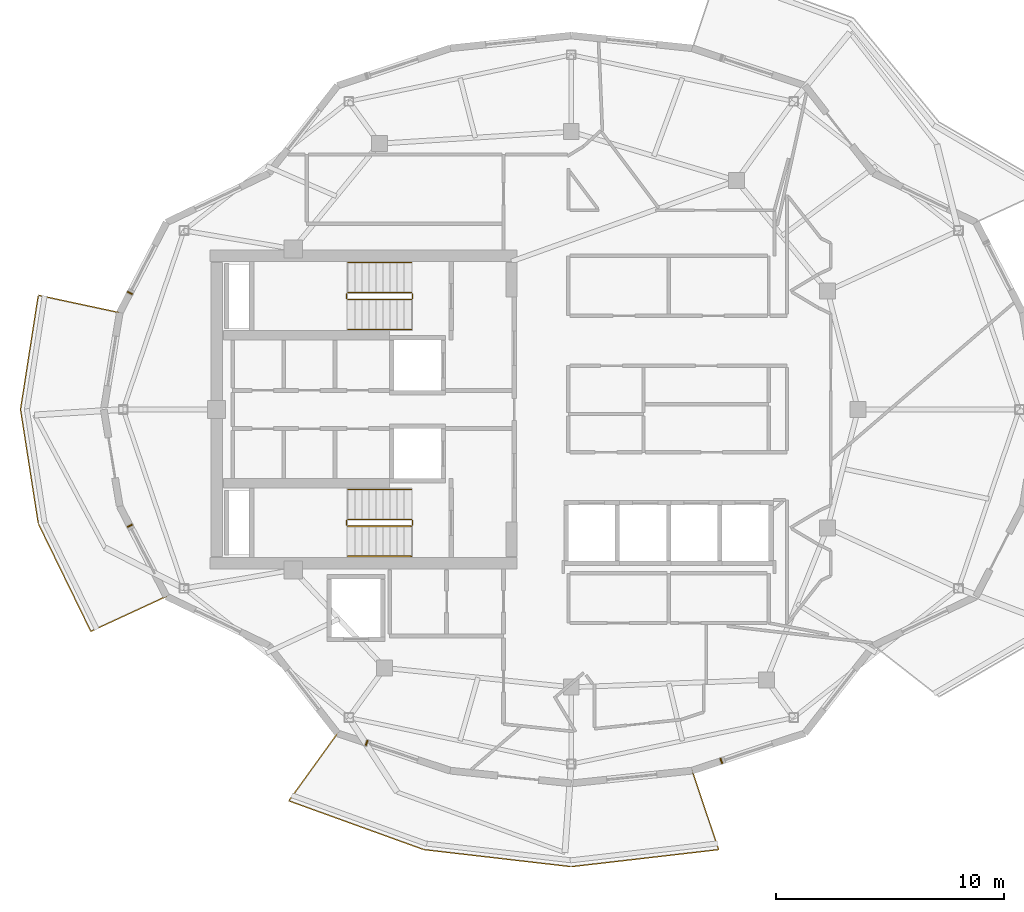
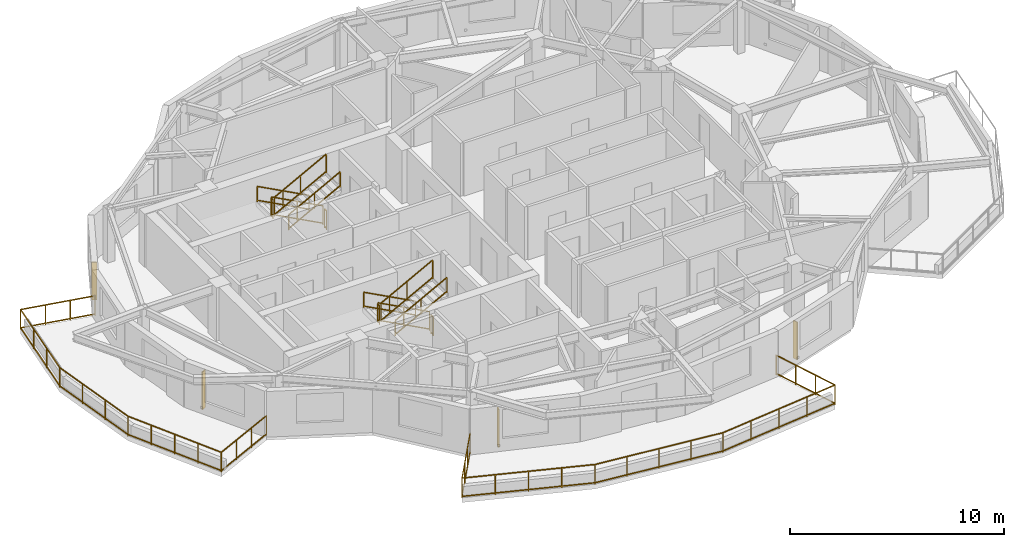
# One storey, part 9 of 11: 14 railings, 4 shading devices.
"""IFC4 building model written with IfcOpenShell, lengths in metres."""

from ifc_helpers import new_model, si_unit, direction, frame, origin, origin_2d, place, context, subcontext, project, spatial, rectangle, extrude, material, type_object, element, save


model = new_model("IFC4")

# Units and contexts
model_context = context("Model", 3, precision=1e-05, world=origin(), true_north=direction((0.0, 1.0)))
body_context = subcontext(model_context, "Body", "Model", "MODEL_VIEW")
ifc_project = project(units=[si_unit("LENGTHUNIT", "METRE"), si_unit("AREAUNIT", "SQUARE_METRE"), si_unit("VOLUMEUNIT", "CUBIC_METRE"), si_unit("PLANEANGLEUNIT", "RADIAN"), si_unit("MASSUNIT", "GRAM", prefix="KILO")], contexts=[model_context])

# Site, building, storey
site_placement = place(None, origin())
site = spatial("IfcSite", under=ifc_project, at=site_placement, CompositionType="ELEMENT")
building_placement = place(site_placement, origin())
building = spatial("IfcBuilding", under=site, at=building_placement, Name="Kolvaren Gate Tower and Convention Centre", CompositionType="ELEMENT")
storey_placement = place(building_placement, frame((0.0, 0.0, 262.39990234375)))
storey = spatial("IfcBuildingStorey", under=building, at=storey_placement, Name="L71", CompositionType="ELEMENT", Elevation=262.39990234375)

# Railings
ifc_material_1 = material(Name="Brushed Stainless Steel Grade 316L", Category="steel")
railing_type_1 = type_object("IfcRailingType", Name="ARCH-RL-GUARD-1150", PredefinedType="GUARDRAIL", material=ifc_material_1)
railing_1_placement = place(storey_placement, frame((23.10009765625, 32.1298828125, 0.1650390625)))
element("IfcRailing", 1, at=railing_1_placement, inside=storey, type_object=railing_type_1, Name="L71 ST-T1 stair guard 1", PredefinedType="GUARDRAIL", context=body_context, shape_type="SweptSolid", body=[
    extrude(rectangle(XDim=0.048095703125, YDim=0.048095703125, at=origin_2d()), frame((0.0, 0.0, 1.076171875), z_axis=(-0.882735390775, 0.0, 0.469870439454), x_axis=(0.0, -1.0, 0.0)), (0.0, 0.0, 1.0), 3.16064453125),
    extrude(rectangle(XDim=0.048095703125, YDim=0.048095703125, at=origin_2d()), frame((0.0, 0.0, 0.083984375), z_axis=(-0.882735390775, 0.0, 0.469870439454), x_axis=(0.0, -1.0, 0.0)), (0.0, 0.0, 1.0), 3.16064453125),
    extrude(rectangle(XDim=0.0419921875, YDim=0.0419921875, at=origin_2d()), origin(), (0.0, 0.0, 1.0), 1.050048828125),
    extrude(rectangle(XDim=0.0419921875, YDim=0.0419921875, at=origin_2d()), frame((-2.7900390625, 0.0, 1.485107421875)), (0.0, 0.0, 1.0), 1.050048828125),
    extrude(rectangle(XDim=0.0419921875, YDim=0.0419921875, at=origin_2d()), frame((-1.39501953125, 0.0, 0.74267578125)), (0.0, 0.0, 1.0), 1.050048828125),
])
railing_2_placement = place(storey_placement, frame((20.260009765625, 32.080078125, 1.650146484375)))
element("IfcRailing", 2, at=railing_2_placement, inside=storey, type_object=railing_type_1, Name="L71 ST-T1 stair guard 2", PredefinedType="GUARDRAIL", context=body_context, shape_type="SweptSolid", body=[
    extrude(rectangle(XDim=0.048095703125, YDim=0.048095703125, at=origin_2d()), frame((0.0, 0.0, 1.076171875), z_axis=(0.0, -1.0, 0.0), x_axis=(1.0, 0.0, 0.0)), (0.0, 0.0, 1.0), 0.2001953125),
    extrude(rectangle(XDim=0.048095703125, YDim=0.048095703125, at=origin_2d()), frame((0.0, 0.0, 0.083984375), z_axis=(0.0, -1.0, 0.0), x_axis=(1.0, 0.0, 0.0)), (0.0, 0.0, 1.0), 0.2001953125),
    extrude(rectangle(XDim=0.0419921875, YDim=0.0419921875, at=origin_2d()), origin(), (0.0, 0.0, 1.0), 1.050048828125),
    extrude(rectangle(XDim=0.0419921875, YDim=0.0419921875, at=origin_2d()), frame((0.0, -0.2001953125, 0.0)), (0.0, 0.0, 1.0), 1.050048828125),
])
railing_3_placement = place(storey_placement, frame((20.31005859375, 31.830078125, 1.815185546875)))
element("IfcRailing", 3, at=railing_3_placement, inside=storey, type_object=railing_type_1, Name="L71 ST-T1 stair guard 3", PredefinedType="GUARDRAIL", context=body_context, shape_type="SweptSolid", body=[
    extrude(rectangle(XDim=0.048095703125, YDim=0.048095703125, at=origin_2d()), frame((0.0, 0.0, 1.076171875), z_axis=(0.882767428149, 0.0, 0.469810246588), x_axis=(0.0, 1.0, 0.0)), (0.0, 0.0, 1.0), 3.16064453125),
    extrude(rectangle(XDim=0.048095703125, YDim=0.048095703125, at=origin_2d()), frame((0.0, 0.0, 0.083984375), z_axis=(0.882767428149, 0.0, 0.469810246588), x_axis=(0.0, 1.0, 0.0)), (0.0, 0.0, 1.0), 3.16064453125),
    extrude(rectangle(XDim=0.0419921875, YDim=0.0419921875, at=origin_2d()), origin(), (0.0, 0.0, 1.0), 1.050048828125),
    extrude(rectangle(XDim=0.0419921875, YDim=0.0419921875, at=origin_2d()), frame((2.7900390625, 0.0, 1.48486328125)), (0.0, 0.0, 1.0), 1.050048828125),
    extrude(rectangle(XDim=0.0419921875, YDim=0.0419921875, at=origin_2d()), frame((1.39501953125, 0.0, 0.742431640625)), (0.0, 0.0, 1.0), 1.050048828125),
])
railing_4_placement = place(storey_placement, frame((23.14990234375, 32.080078125, 0.0)))
element("IfcRailing", 4, at=railing_4_placement, inside=storey, type_object=railing_type_1, Name="L71 ST-T1 stair guard 4", PredefinedType="GUARDRAIL", context=body_context, shape_type="SweptSolid", body=[
    extrude(rectangle(XDim=0.048095703125, YDim=0.048095703125, at=origin_2d()), frame((0.0, 0.0, 1.076171875), z_axis=(0.0, -1.0, 0.0), x_axis=(1.0, 0.0, 0.0)), (0.0, 0.0, 1.0), 0.2001953125),
    extrude(rectangle(XDim=0.048095703125, YDim=0.048095703125, at=origin_2d()), frame((0.0, 0.0, 0.083984375), z_axis=(0.0, -1.0, 0.0), x_axis=(1.0, 0.0, 0.0)), (0.0, 0.0, 1.0), 0.2001953125),
    extrude(rectangle(XDim=0.0419921875, YDim=0.0419921875, at=origin_2d()), origin(), (0.0, 0.0, 1.0), 1.050048828125),
    extrude(rectangle(XDim=0.0419921875, YDim=0.0419921875, at=origin_2d()), frame((0.0, -0.2001953125, 0.0)), (0.0, 0.0, 1.0), 1.050048828125),
])
railing_5_placement = place(storey_placement, frame((23.10009765625, 22.169921875, 0.1650390625)))
element("IfcRailing", 5, at=railing_5_placement, inside=storey, type_object=railing_type_1, Name="L71 ST-T2 stair guard 1", PredefinedType="GUARDRAIL", context=body_context, shape_type="SweptSolid", body=[
    extrude(rectangle(XDim=0.048095703125, YDim=0.048095703125, at=origin_2d()), frame((0.0, 0.0, 1.076171875), z_axis=(-0.882735390775, 0.0, 0.469870439454), x_axis=(0.0, -1.0, 0.0)), (0.0, 0.0, 1.0), 3.16064453125),
    extrude(rectangle(XDim=0.048095703125, YDim=0.048095703125, at=origin_2d()), frame((0.0, 0.0, 0.083984375), z_axis=(-0.882735390775, 0.0, 0.469870439454), x_axis=(0.0, -1.0, 0.0)), (0.0, 0.0, 1.0), 3.16064453125),
    extrude(rectangle(XDim=0.0419921875, YDim=0.0419921875, at=origin_2d()), origin(), (0.0, 0.0, 1.0), 1.050048828125),
    extrude(rectangle(XDim=0.0419921875, YDim=0.0419921875, at=origin_2d()), frame((-2.7900390625, 0.0, 1.485107421875)), (0.0, 0.0, 1.0), 1.050048828125),
    extrude(rectangle(XDim=0.0419921875, YDim=0.0419921875, at=origin_2d()), frame((-1.39501953125, 0.0, 0.74267578125)), (0.0, 0.0, 1.0), 1.050048828125),
])
railing_6_placement = place(storey_placement, frame((20.260009765625, 22.1201171875, 1.650146484375)))
element("IfcRailing", 6, at=railing_6_placement, inside=storey, type_object=railing_type_1, Name="L71 ST-T2 stair guard 2", PredefinedType="GUARDRAIL", context=body_context, shape_type="SweptSolid", body=[
    extrude(rectangle(XDim=0.048095703125, YDim=0.048095703125, at=origin_2d()), frame((0.0, 0.0, 1.076171875), z_axis=(0.0, -1.0, 0.0), x_axis=(1.0, 0.0, 0.0)), (0.0, 0.0, 1.0), 0.2001953125),
    extrude(rectangle(XDim=0.048095703125, YDim=0.048095703125, at=origin_2d()), frame((0.0, 0.0, 0.083984375), z_axis=(0.0, -1.0, 0.0), x_axis=(1.0, 0.0, 0.0)), (0.0, 0.0, 1.0), 0.2001953125),
    extrude(rectangle(XDim=0.0419921875, YDim=0.0419921875, at=origin_2d()), origin(), (0.0, 0.0, 1.0), 1.050048828125),
    extrude(rectangle(XDim=0.0419921875, YDim=0.0419921875, at=origin_2d()), frame((0.0, -0.2001953125, 0.0)), (0.0, 0.0, 1.0), 1.050048828125),
])
railing_7_placement = place(storey_placement, frame((20.31005859375, 21.8701171875, 1.815185546875)))
element("IfcRailing", 7, at=railing_7_placement, inside=storey, type_object=railing_type_1, Name="L71 ST-T2 stair guard 3", PredefinedType="GUARDRAIL", context=body_context, shape_type="SweptSolid", body=[
    extrude(rectangle(XDim=0.048095703125, YDim=0.048095703125, at=origin_2d()), frame((0.0, 0.0, 1.076171875), z_axis=(0.882767428149, 0.0, 0.469810246588), x_axis=(0.0, 1.0, 0.0)), (0.0, 0.0, 1.0), 3.16064453125),
    extrude(rectangle(XDim=0.048095703125, YDim=0.048095703125, at=origin_2d()), frame((0.0, 0.0, 0.083984375), z_axis=(0.882767428149, 0.0, 0.469810246588), x_axis=(0.0, 1.0, 0.0)), (0.0, 0.0, 1.0), 3.16064453125),
    extrude(rectangle(XDim=0.0419921875, YDim=0.0419921875, at=origin_2d()), origin(), (0.0, 0.0, 1.0), 1.050048828125),
    extrude(rectangle(XDim=0.0419921875, YDim=0.0419921875, at=origin_2d()), frame((2.7900390625, 0.0, 1.48486328125)), (0.0, 0.0, 1.0), 1.050048828125),
    extrude(rectangle(XDim=0.0419921875, YDim=0.0419921875, at=origin_2d()), frame((1.39501953125, 0.0, 0.742431640625)), (0.0, 0.0, 1.0), 1.050048828125),
])
railing_8_placement = place(storey_placement, frame((23.14990234375, 22.1201171875, 0.0)))
element("IfcRailing", 8, at=railing_8_placement, inside=storey, type_object=railing_type_1, Name="L71 ST-T2 stair guard 4", PredefinedType="GUARDRAIL", context=body_context, shape_type="SweptSolid", body=[
    extrude(rectangle(XDim=0.048095703125, YDim=0.048095703125, at=origin_2d()), frame((0.0, 0.0, 1.076171875), z_axis=(0.0, -1.0, 0.0), x_axis=(1.0, 0.0, 0.0)), (0.0, 0.0, 1.0), 0.2001953125),
    extrude(rectangle(XDim=0.048095703125, YDim=0.048095703125, at=origin_2d()), frame((0.0, 0.0, 0.083984375), z_axis=(0.0, -1.0, 0.0), x_axis=(1.0, 0.0, 0.0)), (0.0, 0.0, 1.0), 0.2001953125),
    extrude(rectangle(XDim=0.0419921875, YDim=0.0419921875, at=origin_2d()), origin(), (0.0, 0.0, 1.0), 1.050048828125),
    extrude(rectangle(XDim=0.0419921875, YDim=0.0419921875, at=origin_2d()), frame((0.0, -0.2001953125, 0.0)), (0.0, 0.0, 1.0), 1.050048828125),
])
railing_9_placement = place(storey_placement, frame((10.293212890625, 31.251220703125, 0.0)))
element("IfcRailing", 9, at=railing_9_placement, inside=storey, type_object=railing_type_1, Name="Tower L71 Terrace Perimeter Guardrail GR-2", PredefinedType="GUARDRAIL", context=body_context, shape_type="SweptSolid", body=[
    extrude(rectangle(XDim=0.048095703125, YDim=0.048095703125, at=origin_2d()), frame((-0.02734375, 0.005859375, 1.1259765625), z_axis=(-0.977788745232, 0.209592866525, 0.0), x_axis=(-0.209592866525, -0.977788745232, 0.0)), (0.0, 0.0, 1.0), 3.603759765625),
    extrude(rectangle(XDim=0.048095703125, YDim=0.048095703125, at=origin_2d()), frame((-0.02734375, 0.005859375, 0.083984375), z_axis=(-0.977788745232, 0.209592866525, 0.0), x_axis=(-0.209592866525, -0.977788745232, 0.0)), (0.0, 0.0, 1.0), 3.603759765625),
    extrude(rectangle(XDim=0.048095703125, YDim=0.048095703125, at=origin_2d()), frame((-3.5830078125, 0.7392578125, 1.1259765625), z_axis=(-0.153733081728, -0.988112412422, 0.0), x_axis=(0.988112412422, -0.153733081728, 0.0)), (0.0, 0.0, 1.0), 5.022705078125),
    extrude(rectangle(XDim=0.048095703125, YDim=0.048095703125, at=origin_2d()), frame((-3.5830078125, 0.7392578125, 0.083984375), z_axis=(-0.153733081728, -0.988112412422, 0.0), x_axis=(0.988112412422, -0.153733081728, 0.0)), (0.0, 0.0, 1.0), 5.022705078125),
    extrude(rectangle(XDim=0.048095703125, YDim=0.048095703125, at=origin_2d()), frame((-4.35498046875, -4.279052734375, 1.1259765625), z_axis=(0.153733081728, -0.988112412422, 0.0), x_axis=(0.988112412422, 0.153733081728, 0.0)), (0.0, 0.0, 1.0), 5.022705078125),
    extrude(rectangle(XDim=0.048095703125, YDim=0.048095703125, at=origin_2d()), frame((-4.35498046875, -4.279052734375, 0.083984375), z_axis=(0.153733081728, -0.988112412422, 0.0), x_axis=(0.988112412422, 0.153733081728, 0.0)), (0.0, 0.0, 1.0), 5.022705078125),
    extrude(rectangle(XDim=0.048095703125, YDim=0.048095703125, at=origin_2d()), frame((-3.56640625, -9.294677734375, 1.1259765625), z_axis=(0.438469339137, -0.898746148051, 0.0), x_axis=(0.898746148051, 0.438469339137, 0.0)), (0.0, 0.0, 1.0), 5.20556640625),
    extrude(rectangle(XDim=0.048095703125, YDim=0.048095703125, at=origin_2d()), frame((-3.56640625, -9.294677734375, 0.083984375), z_axis=(0.438469339137, -0.898746148051, 0.0), x_axis=(0.898746148051, 0.438469339137, 0.0)), (0.0, 0.0, 1.0), 5.20556640625),
    extrude(rectangle(XDim=0.048095703125, YDim=0.048095703125, at=origin_2d()), frame((-1.24609375, -13.98681640625, 1.1259765625), z_axis=(0.907820723829, 0.419358478377, 0.0), x_axis=(-0.419358478377, 0.907820723829, 0.0)), (0.0, 0.0, 1.0), 3.60400390625),
    extrude(rectangle(XDim=0.048095703125, YDim=0.048095703125, at=origin_2d()), frame((-1.24609375, -13.98681640625, 0.083984375), z_axis=(0.907820723829, 0.419358478377, 0.0), x_axis=(-0.419358478377, 0.907820723829, 0.0)), (0.0, 0.0, 1.0), 3.60400390625),
    extrude(rectangle(XDim=0.0419921875, YDim=0.0419921875, at=origin_2d()), origin(), (0.0, 0.0, 1.0), 1.14990234375),
    extrude(rectangle(XDim=0.0419921875, YDim=0.0419921875, at=origin_2d()), frame((-3.57861328125, 0.76708984375, 0.0)), (0.0, 0.0, 1.0), 1.14990234375),
    extrude(rectangle(XDim=0.0419921875, YDim=0.0419921875, at=origin_2d()), frame((-1.19287109375, 0.255615234375, 0.0)), (0.0, 0.0, 1.0), 1.099853515625),
    extrude(rectangle(XDim=0.0419921875, YDim=0.0419921875, at=origin_2d()), frame((-2.3857421875, 0.511474609375, 0.0)), (0.0, 0.0, 1.0), 1.099853515625),
    extrude(rectangle(XDim=0.0419921875, YDim=0.0419921875, at=origin_2d()), frame((-4.359375, -4.251220703125, 0.0)), (0.0, 0.0, 1.0), 1.14990234375),
    extrude(rectangle(XDim=0.0419921875, YDim=0.0419921875, at=origin_2d()), frame((-3.8388671875, -0.90576171875, 0.0)), (0.0, 0.0, 1.0), 1.099853515625),
    extrude(rectangle(XDim=0.0419921875, YDim=0.0419921875, at=origin_2d()), frame((-4.09912109375, -2.578369140625, 0.0)), (0.0, 0.0, 1.0), 1.099853515625),
    extrude(rectangle(XDim=0.0419921875, YDim=0.0419921875, at=origin_2d()), frame((-3.57861328125, -9.26953125, 0.0)), (0.0, 0.0, 1.0), 1.14990234375),
    extrude(rectangle(XDim=0.0419921875, YDim=0.0419921875, at=origin_2d()), frame((-4.09912109375, -5.924072265625, 0.0)), (0.0, 0.0, 1.0), 1.099853515625),
    extrude(rectangle(XDim=0.0419921875, YDim=0.0419921875, at=origin_2d()), frame((-3.8388671875, -7.5966796875, 0.0)), (0.0, 0.0, 1.0), 1.099853515625),
    extrude(rectangle(XDim=0.0419921875, YDim=0.0419921875, at=origin_2d()), frame((-1.271484375, -13.99853515625, 0.0)), (0.0, 0.0, 1.0), 1.14990234375),
    extrude(rectangle(XDim=0.0419921875, YDim=0.0419921875, at=origin_2d()), frame((-3.001953125, -10.45166015625, 0.0)), (0.0, 0.0, 1.0), 1.099853515625),
    extrude(rectangle(XDim=0.0419921875, YDim=0.0419921875, at=origin_2d()), frame((-2.425048828125, -11.634033203125, 0.0)), (0.0, 0.0, 1.0), 1.099853515625),
    extrude(rectangle(XDim=0.0419921875, YDim=0.0419921875, at=origin_2d()), frame((-1.84814453125, -12.81640625, 0.0)), (0.0, 0.0, 1.0), 1.099853515625),
    extrude(rectangle(XDim=0.0419921875, YDim=0.0419921875, at=origin_2d()), frame((2.05126953125, -12.463623046875, 0.0)), (0.0, 0.0, 1.0), 1.14990234375),
    extrude(rectangle(XDim=0.0419921875, YDim=0.0419921875, at=origin_2d()), frame((-0.163818359375, -13.48681640625, 0.0)), (0.0, 0.0, 1.0), 1.099853515625),
    extrude(rectangle(XDim=0.0419921875, YDim=0.0419921875, at=origin_2d()), frame((0.943603515625, -12.975341796875, 0.0)), (0.0, 0.0, 1.0), 1.099853515625),
])
railing_10_placement = place(storey_placement, frame((19.859375, 12.775390625, 0.0)))
element("IfcRailing", 10, at=railing_10_placement, inside=storey, type_object=railing_type_1, Name="Tower L71 Terrace Perimeter Guardrail GR-3", PredefinedType="GUARDRAIL", context=body_context, shape_type="SweptSolid", body=[
    extrude(rectangle(XDim=0.048095703125, YDim=0.048095703125, at=origin_2d()), frame((-0.016357421875, -0.022705078125, 1.1259765625), z_axis=(-0.585212870465, -0.810879705161, 0.0), x_axis=(0.810879705161, -0.585212870465, 0.0)), (0.0, 0.0, 1.0), 3.603759765625),
    extrude(rectangle(XDim=0.048095703125, YDim=0.048095703125, at=origin_2d()), frame((-0.016357421875, -0.022705078125, 0.083984375), z_axis=(-0.585212870465, -0.810879705161, 0.0), x_axis=(0.810879705161, -0.585212870465, 0.0)), (0.0, 0.0, 1.0), 3.603759765625),
    extrude(rectangle(XDim=0.048095703125, YDim=0.048095703125, at=origin_2d()), frame((-2.115478515625, -2.977294921875, 1.1259765625), z_axis=(0.940477613992, -0.339855642267, 0.0), x_axis=(0.339855642267, 0.940477613992, 0.0)), (0.0, 0.0, 1.0), 6.25048828125),
    extrude(rectangle(XDim=0.048095703125, YDim=0.048095703125, at=origin_2d()), frame((-2.115478515625, -2.977294921875, 0.083984375), z_axis=(0.940477613992, -0.339855642267, 0.0), x_axis=(0.339855642267, 0.940477613992, 0.0)), (0.0, 0.0, 1.0), 6.25048828125),
    extrude(rectangle(XDim=0.048095703125, YDim=0.048095703125, at=origin_2d()), frame((3.817138671875, -5.1142578125, 1.1259765625), z_axis=(0.993373956815, -0.114926854656, 0.0), x_axis=(0.114926854656, 0.993373956815, 0.0)), (0.0, 0.0, 1.0), 6.46337890625),
    extrude(rectangle(XDim=0.048095703125, YDim=0.048095703125, at=origin_2d()), frame((3.817138671875, -5.1142578125, 0.083984375), z_axis=(0.993373956815, -0.114926854656, 0.0), x_axis=(0.114926854656, 0.993373956815, 0.0)), (0.0, 0.0, 1.0), 6.46337890625),
    extrude(rectangle(XDim=0.048095703125, YDim=0.048095703125, at=origin_2d()), frame((10.29345703125, -5.857177734375, 1.1259765625), z_axis=(0.993373956815, 0.114926854656, 0.0), x_axis=(-0.114926854656, 0.993373956815, 0.0)), (0.0, 0.0, 1.0), 6.46337890625),
    extrude(rectangle(XDim=0.048095703125, YDim=0.048095703125, at=origin_2d()), frame((10.29345703125, -5.857177734375, 0.083984375), z_axis=(0.993373956815, 0.114926854656, 0.0), x_axis=(-0.114926854656, 0.993373956815, 0.0)), (0.0, 0.0, 1.0), 6.46337890625),
    extrude(rectangle(XDim=0.048095703125, YDim=0.048095703125, at=origin_2d()), frame((16.733154296875, -5.08447265625, 1.1259765625), z_axis=(-0.317588247294, 0.948228719867, 0.0), x_axis=(-0.948228719867, -0.317588247294, 0.0)), (0.0, 0.0, 1.0), 3.603759765625),
    extrude(rectangle(XDim=0.048095703125, YDim=0.048095703125, at=origin_2d()), frame((16.733154296875, -5.08447265625, 0.083984375), z_axis=(-0.317588247294, 0.948228719867, 0.0), x_axis=(-0.948228719867, -0.317588247294, 0.0)), (0.0, 0.0, 1.0), 3.603759765625),
    extrude(rectangle(XDim=0.0419921875, YDim=0.0419921875, at=origin_2d()), origin(), (0.0, 0.0, 1.0), 1.14990234375),
    extrude(rectangle(XDim=0.0419921875, YDim=0.0419921875, at=origin_2d()), frame((-2.141845703125, -2.9677734375, 0.0)), (0.0, 0.0, 1.0), 1.14990234375),
    extrude(rectangle(XDim=0.0419921875, YDim=0.0419921875, at=origin_2d()), frame((-0.7138671875, -0.9892578125, 0.0)), (0.0, 0.0, 1.0), 1.099853515625),
    extrude(rectangle(XDim=0.0419921875, YDim=0.0419921875, at=origin_2d()), frame((-1.427978515625, -1.978515625, 0.0)), (0.0, 0.0, 1.0), 1.099853515625),
    extrude(rectangle(XDim=0.0419921875, YDim=0.0419921875, at=origin_2d()), frame((3.789306640625, -5.111083984375, 0.0)), (0.0, 0.0, 1.0), 1.14990234375),
    extrude(rectangle(XDim=0.0419921875, YDim=0.0419921875, at=origin_2d()), frame((-0.6591796875, -3.503662109375, 0.0)), (0.0, 0.0, 1.0), 1.099853515625),
    extrude(rectangle(XDim=0.0419921875, YDim=0.0419921875, at=origin_2d()), frame((0.82373046875, -4.03955078125, 0.0)), (0.0, 0.0, 1.0), 1.099853515625),
    extrude(rectangle(XDim=0.0419921875, YDim=0.0419921875, at=origin_2d()), frame((2.306640625, -4.5751953125, 0.0)), (0.0, 0.0, 1.0), 1.099853515625),
    extrude(rectangle(XDim=0.0419921875, YDim=0.0419921875, at=origin_2d()), frame((10.265625, -5.8603515625, 0.0)), (0.0, 0.0, 1.0), 1.14990234375),
    extrude(rectangle(XDim=0.0419921875, YDim=0.0419921875, at=origin_2d()), frame((5.408447265625, -5.29833984375, 0.0)), (0.0, 0.0, 1.0), 1.099853515625),
    extrude(rectangle(XDim=0.0419921875, YDim=0.0419921875, at=origin_2d()), frame((7.02734375, -5.48583984375, 0.0)), (0.0, 0.0, 1.0), 1.099853515625),
    extrude(rectangle(XDim=0.0419921875, YDim=0.0419921875, at=origin_2d()), frame((8.646484375, -5.673095703125, 0.0)), (0.0, 0.0, 1.0), 1.099853515625),
    extrude(rectangle(XDim=0.0419921875, YDim=0.0419921875, at=origin_2d()), frame((16.741943359375, -5.111083984375, 0.0)), (0.0, 0.0, 1.0), 1.14990234375),
    extrude(rectangle(XDim=0.0419921875, YDim=0.0419921875, at=origin_2d()), frame((11.884765625, -5.673095703125, 0.0)), (0.0, 0.0, 1.0), 1.099853515625),
    extrude(rectangle(XDim=0.0419921875, YDim=0.0419921875, at=origin_2d()), frame((13.50390625, -5.48583984375, 0.0)), (0.0, 0.0, 1.0), 1.099853515625),
    extrude(rectangle(XDim=0.0419921875, YDim=0.0419921875, at=origin_2d()), frame((15.122802734375, -5.29833984375, 0.0)), (0.0, 0.0, 1.0), 1.099853515625),
    extrude(rectangle(XDim=0.0419921875, YDim=0.0419921875, at=origin_2d()), frame((15.57958984375, -1.640625, 0.0)), (0.0, 0.0, 1.0), 1.14990234375),
    extrude(rectangle(XDim=0.0419921875, YDim=0.0419921875, at=origin_2d()), frame((16.3544921875, -3.954345703125, 0.0)), (0.0, 0.0, 1.0), 1.099853515625),
    extrude(rectangle(XDim=0.0419921875, YDim=0.0419921875, at=origin_2d()), frame((15.967041015625, -2.79736328125, 0.0)), (0.0, 0.0, 1.0), 1.099853515625),
])
railing_type_2 = type_object("IfcRailingType", Name="ARCH-RL-HANDRAIL-920", PredefinedType="HANDRAIL", material=ifc_material_1)
railing_11_placement = place(storey_placement, frame((23.10009765625, 33.449951171875, 0.1650390625)))
element("IfcRailing", 11, at=railing_11_placement, inside=storey, type_object=railing_type_2, Name="L71 ST-T1 stair handrail 1", PredefinedType="HANDRAIL", context=body_context, shape_type="SweptSolid", body=[
    extrude(rectangle(XDim=0.048095703125, YDim=0.048095703125, at=origin_2d()), frame((0.0, 0.0, 0.8759765625), z_axis=(-0.882735390775, 0.0, 0.469870439454), x_axis=(0.0, -1.0, 0.0)), (0.0, 0.0, 1.0), 3.16064453125),
    extrude(rectangle(XDim=0.048095703125, YDim=0.048095703125, at=origin_2d()), frame((0.0, 0.0, 0.083984375), z_axis=(-0.882735390775, 0.0, 0.469870439454), x_axis=(0.0, -1.0, 0.0)), (0.0, 0.0, 1.0), 3.16064453125),
    extrude(rectangle(XDim=0.0419921875, YDim=0.0419921875, at=origin_2d()), origin(), (0.0, 0.0, 1.0), 0.849853515625),
    extrude(rectangle(XDim=0.0419921875, YDim=0.0419921875, at=origin_2d()), frame((-2.7900390625, 0.0, 1.485107421875)), (0.0, 0.0, 1.0), 0.849853515625),
    extrude(rectangle(XDim=0.0419921875, YDim=0.0419921875, at=origin_2d()), frame((-1.39501953125, 0.0, 0.74267578125)), (0.0, 0.0, 1.0), 0.849853515625),
])
railing_12_placement = place(storey_placement, frame((20.31005859375, 30.510009765625, 1.815185546875)))
element("IfcRailing", 12, at=railing_12_placement, inside=storey, type_object=railing_type_2, Name="L71 ST-T1 stair handrail 2", PredefinedType="HANDRAIL", context=body_context, shape_type="SweptSolid", body=[
    extrude(rectangle(XDim=0.048095703125, YDim=0.048095703125, at=origin_2d()), frame((0.0, 0.0, 0.8759765625), z_axis=(0.882767428149, 0.0, 0.469810246588), x_axis=(0.0, 1.0, 0.0)), (0.0, 0.0, 1.0), 3.16064453125),
    extrude(rectangle(XDim=0.048095703125, YDim=0.048095703125, at=origin_2d()), frame((0.0, 0.0, 0.083984375), z_axis=(0.882767428149, 0.0, 0.469810246588), x_axis=(0.0, 1.0, 0.0)), (0.0, 0.0, 1.0), 3.16064453125),
    extrude(rectangle(XDim=0.0419921875, YDim=0.0419921875, at=origin_2d()), origin(), (0.0, 0.0, 1.0), 0.849853515625),
    extrude(rectangle(XDim=0.0419921875, YDim=0.0419921875, at=origin_2d()), frame((2.7900390625, 0.0, 1.48486328125)), (0.0, 0.0, 1.0), 0.849853515625),
    extrude(rectangle(XDim=0.0419921875, YDim=0.0419921875, at=origin_2d()), frame((1.39501953125, 0.0, 0.742431640625)), (0.0, 0.0, 1.0), 0.849853515625),
])
railing_13_placement = place(storey_placement, frame((23.10009765625, 23.489990234375, 0.1650390625)))
element("IfcRailing", 13, at=railing_13_placement, inside=storey, type_object=railing_type_2, Name="L71 ST-T2 stair handrail 1", PredefinedType="HANDRAIL", context=body_context, shape_type="SweptSolid", body=[
    extrude(rectangle(XDim=0.048095703125, YDim=0.048095703125, at=origin_2d()), frame((0.0, 0.0, 0.8759765625), z_axis=(-0.882735390775, 0.0, 0.469870439454), x_axis=(0.0, -1.0, 0.0)), (0.0, 0.0, 1.0), 3.16064453125),
    extrude(rectangle(XDim=0.048095703125, YDim=0.048095703125, at=origin_2d()), frame((0.0, 0.0, 0.083984375), z_axis=(-0.882735390775, 0.0, 0.469870439454), x_axis=(0.0, -1.0, 0.0)), (0.0, 0.0, 1.0), 3.16064453125),
    extrude(rectangle(XDim=0.0419921875, YDim=0.0419921875, at=origin_2d()), origin(), (0.0, 0.0, 1.0), 0.849853515625),
    extrude(rectangle(XDim=0.0419921875, YDim=0.0419921875, at=origin_2d()), frame((-2.7900390625, 0.0, 1.485107421875)), (0.0, 0.0, 1.0), 0.849853515625),
    extrude(rectangle(XDim=0.0419921875, YDim=0.0419921875, at=origin_2d()), frame((-1.39501953125, 0.0, 0.74267578125)), (0.0, 0.0, 1.0), 0.849853515625),
])
railing_14_placement = place(storey_placement, frame((20.31005859375, 20.550048828125, 1.815185546875)))
element("IfcRailing", 14, at=railing_14_placement, inside=storey, type_object=railing_type_2, Name="L71 ST-T2 stair handrail 2", PredefinedType="HANDRAIL", context=body_context, shape_type="SweptSolid", body=[
    extrude(rectangle(XDim=0.048095703125, YDim=0.048095703125, at=origin_2d()), frame((0.0, 0.0, 0.8759765625), z_axis=(0.882767428149, 0.0, 0.469810246588), x_axis=(0.0, 1.0, 0.0)), (0.0, 0.0, 1.0), 3.16064453125),
    extrude(rectangle(XDim=0.048095703125, YDim=0.048095703125, at=origin_2d()), frame((0.0, 0.0, 0.083984375), z_axis=(0.882767428149, 0.0, 0.469810246588), x_axis=(0.0, 1.0, 0.0)), (0.0, 0.0, 1.0), 3.16064453125),
    extrude(rectangle(XDim=0.0419921875, YDim=0.0419921875, at=origin_2d()), origin(), (0.0, 0.0, 1.0), 0.849853515625),
    extrude(rectangle(XDim=0.0419921875, YDim=0.0419921875, at=origin_2d()), frame((2.7900390625, 0.0, 1.48486328125)), (0.0, 0.0, 1.0), 0.849853515625),
    extrude(rectangle(XDim=0.0419921875, YDim=0.0419921875, at=origin_2d()), frame((1.39501953125, 0.0, 0.742431640625)), (0.0, 0.0, 1.0), 0.849853515625),
])

# Shading devices
ifc_material_2 = material(Name="Kiln-Fired Bogota Terracotta Ceramic Louvre Profile", Category="masonry")
shading_device_type = type_object("IfcShadingDeviceType", Name="ARCH-SHD-FIN-180", PredefinedType="JALOUSIE", material=ifc_material_2)
for number, where, z_axis, x_axis, name in (
    (15, (10.739501953125, 32.112548828125, 0.22021484375), (0.0, 0.0, 1.0), (0.459793759781, 0.888025730746, 0.0), "Ceramic Vertical Brise-Soleil Fin FN-L71-10"),
    (16, (10.739501953125, 21.887451171875, 0.22021484375), (0.0, 0.0, 1.0), (0.459793759781, -0.888025730746, 0.0), "Ceramic Vertical Brise-Soleil Fin FN-L71-13"),
    (17, (21.138916015625, 12.3515625, 0.22021484375), (0.0, 0.0, 1.0), (0.949243375549, -0.314542547163, 0.0), "Ceramic Vertical Brise-Soleil Fin FN-L71-16"),
    (18, (36.718505859375, 11.55859375, 0.22021484375), (0.0, 0.0, 1.0), (0.949243375549, 0.314542547163, 0.0), "Ceramic Vertical Brise-Soleil Fin FN-L71-19"),
):
    element("IfcShadingDevice", number, at=place(storey_placement, frame(where, z_axis=z_axis, x_axis=x_axis)), inside=storey, type_object=shading_device_type, Name=name, PredefinedType="JALOUSIE", context=body_context, shape_type="SweptSolid", body=[
        extrude(rectangle(XDim=0.06005859375, YDim=0.239990234375, at=origin_2d()), origin(), (0.0, 0.0, 1.0), 2.14990234375),
    ])

save(model, "model.ifc")
